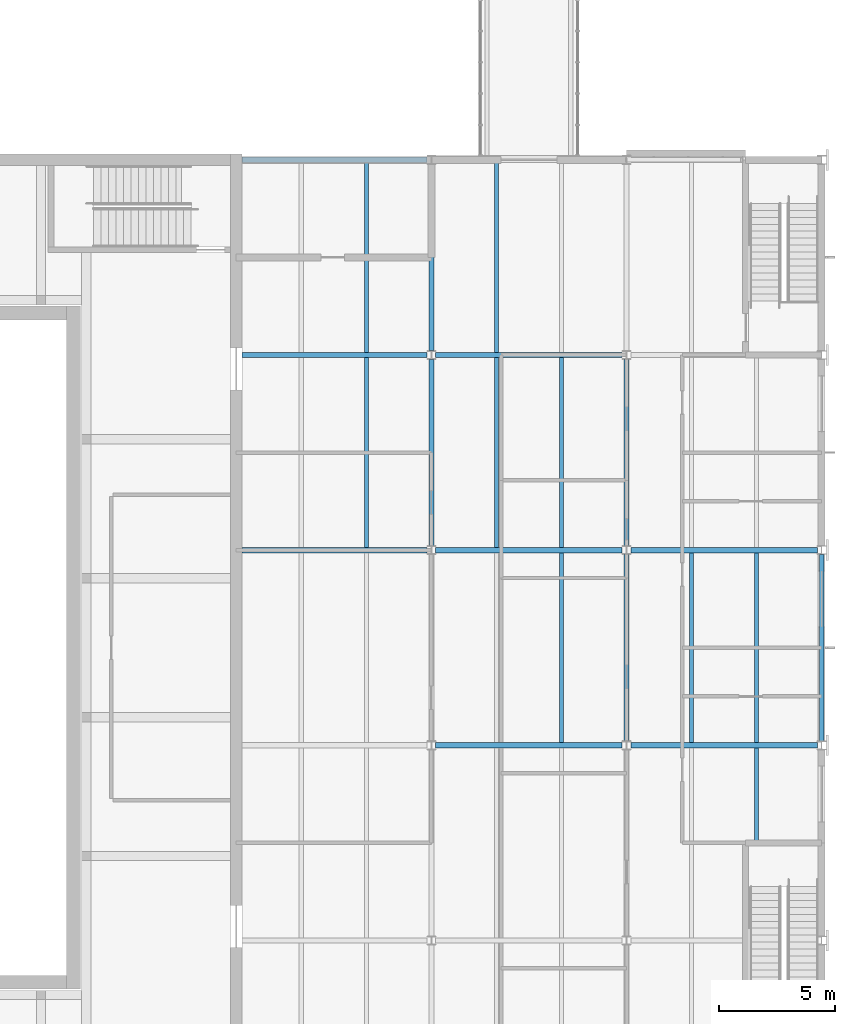
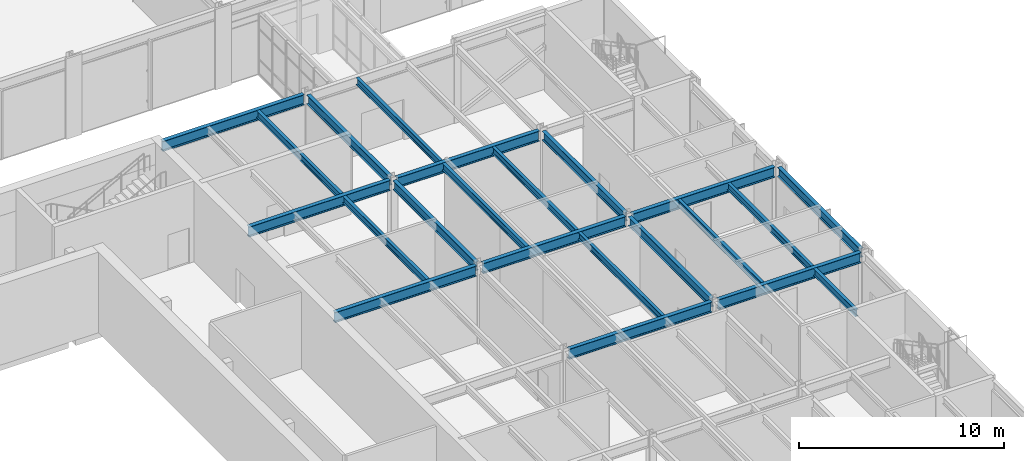
# One storey, part 48 of 127: 22 beams.
"""IFC4 building model written with IfcOpenShell, lengths in metres."""

from ifc_helpers import new_model, si_unit, direction, frame, origin, origin_2d, place, context, subcontext, project, spatial, i_section, extrude, material, material_profile, profile_set, type_object, element, save


model = new_model("IFC4")

# Units and contexts
model_context = context("Model", 3, precision=1e-05, world=origin(), true_north=direction((0.0, 1.0)))
body_context = subcontext(model_context, "Body", "Model", "MODEL_VIEW")
ifc_project = project(units=[si_unit("LENGTHUNIT", "METRE"), si_unit("AREAUNIT", "SQUARE_METRE"), si_unit("VOLUMEUNIT", "CUBIC_METRE"), si_unit("PLANEANGLEUNIT", "RADIAN"), si_unit("MASSUNIT", "GRAM", prefix="KILO")], contexts=[model_context])

# Site, building, storey
site_placement = place(None, origin())
site = spatial("IfcSite", under=ifc_project, at=site_placement, CompositionType="ELEMENT")
building_placement = place(site_placement, origin())
building = spatial("IfcBuilding", under=site, at=building_placement, Name="Ljudholm Concert House", CompositionType="ELEMENT")
storey_placement = place(building_placement, frame((0.0, 0.0, 5.39990234375)))
storey = spatial("IfcBuildingStorey", under=building, at=storey_placement, Name="L01", CompositionType="ELEMENT", Elevation=5.39990234375)

# Beams
ifc_material_1 = material(Name="Steel ASTM A992", Category="steel")
ifc_material_profile_1 = material_profile(ifc_material_1, i_section(OverallWidth=0.177734375, OverallDepth=0.406494140625, WebThickness=0.0078125, FlangeThickness=0.012939453125, FilletRadius=0.01025390625, at=origin_2d()), Name="W16X40")
ifc_profile_set_1 = profile_set([ifc_material_profile_1], Name="Steel ASTM A992")
beam_type_1 = type_object("IfcBeamType", Name="STEEL BEAM W16X40", PredefinedType="BEAM", material=ifc_profile_set_1)
for number, where, z_axis, x_axis, name in (
    (1, (102.0, 79.714599609375, 4.4169921875), (0.0, 1.0, 0.0), (-1.0, 0.0, 0.0), "Beam BOH-L02-sb-102-79.6"),
    (2, (102.0, 88.114501953125, 4.4169921875), (0.0, 1.0, 0.0), (-1.0, 0.0, 0.0), "Beam BOH-L02-sb-102-88"),
    (3, (110.39990234375, 71.314453125, 4.4169921875), (0.0, 1.0, 0.0), (-1.0, 0.0, 0.0), "Beam BOH-L02-sb-110.4-71.2"),
    (4, (107.60009765625, 79.714599609375, 4.4169921875), (0.0, 1.0, 0.0), (-1.0, 0.0, 0.0), "Beam BOH-L02-sb-107.6-79.6"),
    (5, (110.39990234375, 79.714599609375, 4.4169921875), (0.0, 1.0, 0.0), (-1.0, 0.0, 0.0), "Beam BOH-L02-sb-110.4-79.6"),
    (6, (107.60009765625, 88.114501953125, 4.4169921875), (0.0, 1.0, 0.0), (-1.0, 0.0, 0.0), "Beam BOH-L02-sb-107.6-88"),
):
    element("IfcBeam", number, at=place(storey_placement, frame(where, z_axis=z_axis, x_axis=x_axis)), inside=storey, type_object=beam_type_1, Name=name, PredefinedType="BEAM", context=body_context, shape_type="SweptSolid", body=[
        extrude(i_section(OverallWidth=0.177734375, OverallDepth=0.406494140625, WebThickness=0.0078125, FlangeThickness=0.012939453125, FilletRadius=0.01025390625, at=origin_2d()), origin(), (0.0, 0.0, 1.0), 8.1708984375),
    ])
beam_1_placement = place(storey_placement, frame((118.800048828125, 67.0, 4.4169921875), z_axis=(0.0, 1.0, 0.0), x_axis=(-1.0, 0.0, 0.0)))
element("IfcBeam", 7, at=beam_1_placement, inside=storey, type_object=beam_type_1, Name="Beam BOH-L02-sb-118.8-62.8-1", PredefinedType="BEAM", context=body_context, shape_type="SweptSolid", body=[
    extrude(i_section(OverallWidth=0.177734375, OverallDepth=0.406494140625, WebThickness=0.0078125, FlangeThickness=0.012939453125, FilletRadius=0.01025390625, at=origin_2d()), origin(), (0.0, 0.0, 1.0), 4.08544921875),
])
for number, where, z_axis, x_axis, name in (
    (8, (116.0, 71.314453125, 4.4169921875), (0.0, 1.0, 0.0), (-1.0, 0.0, 0.0), "Beam BOH-L02-sb-116-71.2"),
    (9, (118.800048828125, 71.314453125, 4.4169921875), (0.0, 1.0, 0.0), (-1.0, 0.0, 0.0), "Beam BOH-L02-sb-118.8-71.2"),
):
    element("IfcBeam", number, at=place(storey_placement, frame(where, z_axis=z_axis, x_axis=x_axis)), inside=storey, type_object=beam_type_1, Name=name, PredefinedType="BEAM", context=body_context, shape_type="SweptSolid", body=[
        extrude(i_section(OverallWidth=0.177734375, OverallDepth=0.406494140625, WebThickness=0.0078125, FlangeThickness=0.012939453125, FilletRadius=0.01025390625, at=origin_2d()), origin(), (0.0, 0.0, 1.0), 8.1708984375),
    ])
ifc_material_2 = material(Name="Steel ASTM A992", Category="steel")
ifc_material_profile_2 = material_profile(ifc_material_2, i_section(OverallWidth=0.209228515625, OverallDepth=0.533447265625, WebThickness=0.01025390625, FlangeThickness=0.015625, FilletRadius=0.012939453125, at=origin_2d()), Name="W21X62")
ifc_profile_set_2 = profile_set([ifc_material_profile_2], Name="Steel ASTM A992")
beam_type_2 = type_object("IfcBeamType", Name="STEEL BEAM W21X62", PredefinedType="BEAM", material=ifc_profile_set_2)
for number, where, z_axis, x_axis, name in (
    (10, (104.800048828125, 79.78662109375, 4.353515625), (0.0, 1.0, 0.0), (-1.0, 0.0, 0.0), "Beam BOH-L02-gy-104.8-79.6"),
    (11, (104.800048828125, 88.186767578125, 4.353515625), (0.0, 1.0, 0.0), (-1.0, 0.0, 0.0), "Beam BOH-L02-gy-104.8-88"),
    (12, (113.199951171875, 71.38671875, 4.353515625), (0.0, 1.0, 0.0), (-1.0, 0.0, 0.0), "Beam BOH-L02-gy-113.2-71.2"),
    (13, (113.199951171875, 79.78662109375, 4.353515625), (0.0, 1.0, 0.0), (-1.0, 0.0, 0.0), "Beam BOH-L02-gy-113.2-79.6"),
    (14, (121.60009765625, 71.38671875, 4.353515625), (0.0, 1.0, 0.0), (-1.0, 0.0, 0.0), "Beam BOH-L02-gy-121.6-71.2"),
):
    element("IfcBeam", number, at=place(storey_placement, frame(where, z_axis=z_axis, x_axis=x_axis)), inside=storey, type_object=beam_type_2, Name=name, PredefinedType="BEAM", context=body_context, shape_type="SweptSolid", body=[
        extrude(i_section(OverallWidth=0.209228515625, OverallDepth=0.533447265625, WebThickness=0.01025390625, FlangeThickness=0.015625, FilletRadius=0.012939453125, at=origin_2d()), origin(), (0.0, 0.0, 1.0), 8.026611328125),
    ])
ifc_material_3 = material(Name="Steel ASTM A992", Category="steel")
ifc_material_profile_3 = material_profile(ifc_material_3, i_section(OverallWidth=0.22900390625, OverallDepth=0.612060546875, WebThickness=0.011962890625, FlangeThickness=0.01953125, FilletRadius=0.0126953125, at=origin_2d()), Name="W24X84")
ifc_profile_set_3 = profile_set([ifc_material_profile_3], Name="Steel ASTM A992")
beam_type_3 = type_object("IfcBeamType", Name="STEEL BEAM W24X84", PredefinedType="BEAM", material=ifc_profile_set_3)
beam_2_placement = place(storey_placement, frame((104.986572265625, 71.199951171875, 4.31396484375), z_axis=(1.0, 0.0, 0.0), x_axis=(0.0, 1.0, 0.0)))
element("IfcBeam", 15, at=beam_2_placement, inside=storey, type_object=beam_type_3, Name="Beam BOH-L02-gx-104.8-71.2", PredefinedType="BEAM", context=body_context, shape_type="SweptSolid", body=[
    extrude(i_section(OverallWidth=0.22900390625, OverallDepth=0.612060546875, WebThickness=0.011962890625, FlangeThickness=0.01953125, FilletRadius=0.0126953125, at=origin_2d()), origin(), (0.0, 0.0, 1.0), 8.02685546875),
])
beam_3_placement = place(storey_placement, frame((113.38671875, 71.199951171875, 4.31396484375), z_axis=(1.0, 0.0, 0.0), x_axis=(0.0, 1.0, 0.0)))
element("IfcBeam", 16, at=beam_3_placement, inside=storey, type_object=beam_type_3, Name="Beam BOH-L02-gx-113.2-71.2", PredefinedType="BEAM", context=body_context, shape_type="SweptSolid", body=[
    extrude(i_section(OverallWidth=0.22900390625, OverallDepth=0.612060546875, WebThickness=0.011962890625, FlangeThickness=0.01953125, FilletRadius=0.0126953125, at=origin_2d()), origin(), (0.0, 0.0, 1.0), 8.026611328125),
])
beam_4_placement = place(storey_placement, frame((96.64990234375, 79.60009765625, 4.31396484375), z_axis=(1.0, 0.0, 0.0), x_axis=(0.0, 1.0, 0.0)))
element("IfcBeam", 17, at=beam_4_placement, inside=storey, type_object=beam_type_3, Name="Beam BOH-L02-gx-96.4-79.6", PredefinedType="BEAM", context=body_context, shape_type="SweptSolid", body=[
    extrude(i_section(OverallWidth=0.22900390625, OverallDepth=0.612060546875, WebThickness=0.011962890625, FlangeThickness=0.01953125, FilletRadius=0.0126953125, at=origin_2d()), origin(), (0.0, 0.0, 1.0), 7.96337890625),
])
beam_5_placement = place(storey_placement, frame((104.986572265625, 79.60009765625, 4.31396484375), z_axis=(1.0, 0.0, 0.0), x_axis=(0.0, 1.0, 0.0)))
element("IfcBeam", 18, at=beam_5_placement, inside=storey, type_object=beam_type_3, Name="Beam BOH-L02-gx-104.8-79.6", PredefinedType="BEAM", context=body_context, shape_type="SweptSolid", body=[
    extrude(i_section(OverallWidth=0.22900390625, OverallDepth=0.612060546875, WebThickness=0.011962890625, FlangeThickness=0.01953125, FilletRadius=0.0126953125, at=origin_2d()), origin(), (0.0, 0.0, 1.0), 8.02685546875),
])
beam_6_placement = place(storey_placement, frame((113.38671875, 79.60009765625, 4.31396484375), z_axis=(1.0, 0.0, 0.0), x_axis=(0.0, 1.0, 0.0)))
element("IfcBeam", 19, at=beam_6_placement, inside=storey, type_object=beam_type_3, Name="Beam BOH-L02-gx-113.2-79.6", PredefinedType="BEAM", context=body_context, shape_type="SweptSolid", body=[
    extrude(i_section(OverallWidth=0.22900390625, OverallDepth=0.612060546875, WebThickness=0.011962890625, FlangeThickness=0.01953125, FilletRadius=0.0126953125, at=origin_2d()), origin(), (0.0, 0.0, 1.0), 8.026611328125),
])
beam_7_placement = place(storey_placement, frame((96.64990234375, 88.0, 4.31396484375), z_axis=(1.0, 0.0, 0.0), x_axis=(0.0, 1.0, 0.0)))
element("IfcBeam", 20, at=beam_7_placement, inside=storey, type_object=beam_type_3, Name="Beam BOH-L02-gx-96.4-88", PredefinedType="BEAM", context=body_context, shape_type="SweptSolid", body=[
    extrude(i_section(OverallWidth=0.22900390625, OverallDepth=0.612060546875, WebThickness=0.011962890625, FlangeThickness=0.01953125, FilletRadius=0.0126953125, at=origin_2d()), origin(), (0.0, 0.0, 1.0), 7.96337890625),
])
beam_8_placement = place(storey_placement, frame((104.986572265625, 88.0, 4.31396484375), z_axis=(1.0, 0.0, 0.0), x_axis=(0.0, 1.0, 0.0)))
element("IfcBeam", 21, at=beam_8_placement, inside=storey, type_object=beam_type_3, Name="Beam BOH-L02-gx-104.8-88", PredefinedType="BEAM", context=body_context, shape_type="SweptSolid", body=[
    extrude(i_section(OverallWidth=0.22900390625, OverallDepth=0.612060546875, WebThickness=0.011962890625, FlangeThickness=0.01953125, FilletRadius=0.0126953125, at=origin_2d()), origin(), (0.0, 0.0, 1.0), 8.02685546875),
])
beam_9_placement = place(storey_placement, frame((96.64990234375, 96.39990234375, 4.31396484375), z_axis=(1.0, 0.0, 0.0), x_axis=(0.0, 1.0, 0.0)))
element("IfcBeam", 22, at=beam_9_placement, inside=storey, type_object=beam_type_3, Name="Beam BOH-L02-gx-96.4-96.4", PredefinedType="BEAM", context=body_context, shape_type="SweptSolid", body=[
    extrude(i_section(OverallWidth=0.22900390625, OverallDepth=0.612060546875, WebThickness=0.011962890625, FlangeThickness=0.01953125, FilletRadius=0.0126953125, at=origin_2d()), origin(), (0.0, 0.0, 1.0), 7.96337890625),
])

save(model, "model.ifc")
